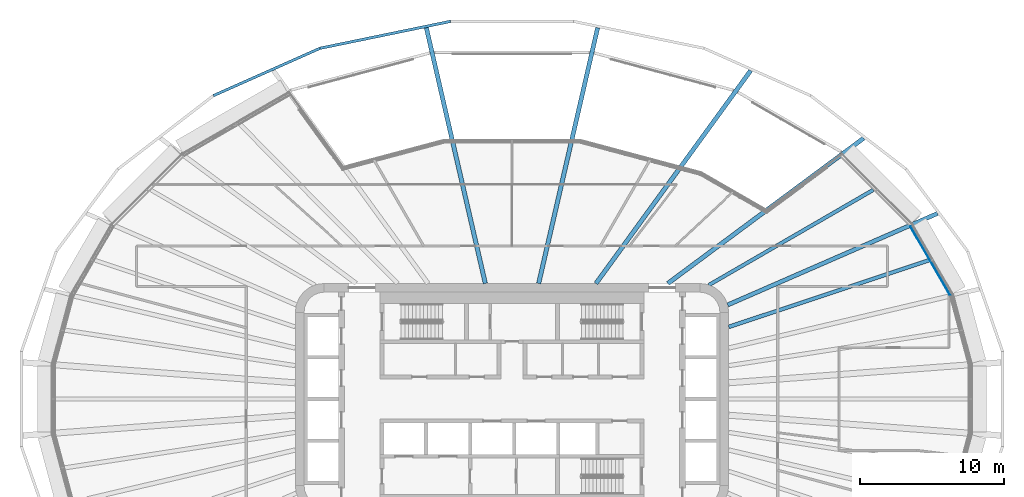
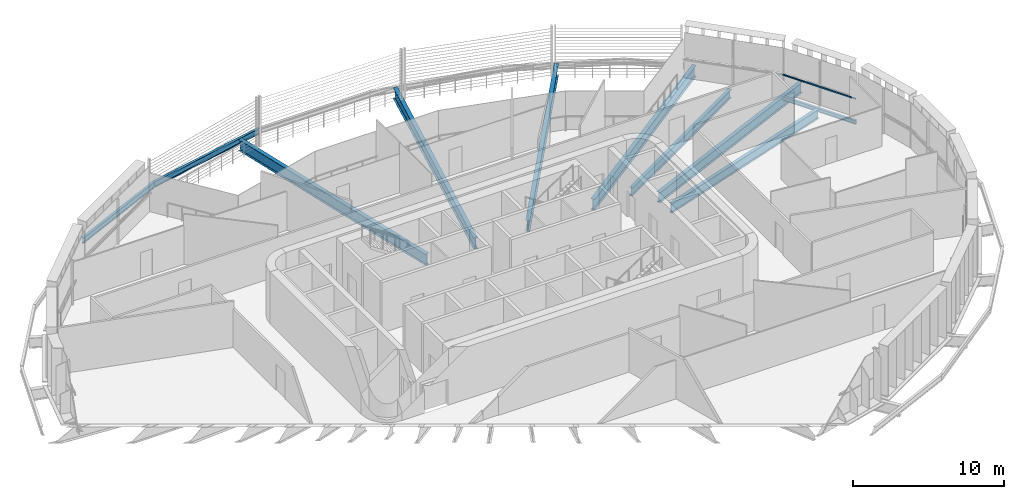
# One storey, part 8 of 24: 10 beams, 1 member, 1 element without a shape of its own.
"""IFC4 building model written with IfcOpenShell, lengths in metres."""

from ifc_helpers import new_model, si_unit, direction, frame, origin, origin_2d, place, context, subcontext, project, spatial, rectangle, i_section, extrude, material, layer, layer_set, material_profile, profile_set, type_object, element, aggregate, save


model = new_model("IFC4")

# Units and contexts
model_context = context("Model", 3, precision=1e-05, world=origin(), true_north=direction((0.0, 1.0)))
body_context = subcontext(model_context, "Body", "Model", "MODEL_VIEW")
ifc_project = project(units=[si_unit("LENGTHUNIT", "METRE"), si_unit("AREAUNIT", "SQUARE_METRE"), si_unit("VOLUMEUNIT", "CUBIC_METRE"), si_unit("PLANEANGLEUNIT", "RADIAN"), si_unit("MASSUNIT", "GRAM", prefix="KILO")], contexts=[model_context])

# Site, building, storey
site_placement = place(None, origin())
site = spatial("IfcSite", under=ifc_project, at=site_placement, CompositionType="ELEMENT")
building_placement = place(site_placement, origin())
building = spatial("IfcBuilding", under=site, at=building_placement, Name="Sahrelin Media Tower", CompositionType="ELEMENT")
storey_placement = place(building_placement, frame((0.0, 0.0, 123.0)))
storey = spatial("IfcBuildingStorey", under=building, at=storey_placement, Name="L24", CompositionType="ELEMENT", Elevation=123.0)

# Beams
ifc_material_1 = material(Name="Steel S355", Category="steel")
ifc_material_profile_1 = material_profile(ifc_material_1, i_section(OverallWidth=0.1650390625, OverallDepth=0.303466796875, WebThickness=0.006103515625, FlangeThickness=0.01025390625, FilletRadius=0.0087890625, at=origin_2d()), Name="UB 305x165x40")
ifc_profile_set_1 = profile_set([ifc_material_profile_1], Name="Steel S355")
beam_type_1 = type_object("IfcBeamType", Name="Edge beam EB2", PredefinedType="BEAM", material=ifc_profile_set_1)
beam_1_placement = place(storey_placement, frame((27.6103515625, 11.9853515625, -0.3017578125), z_axis=(0.500020903074, -0.866013335053, 0.0), x_axis=(0.866013335053, 0.500020903074, 0.0)))
element("IfcBeam", 1, at=beam_1_placement, inside=storey, type_object=beam_type_1, Name="Edge beam L24-19", PredefinedType="BEAM", context=body_context, shape_type="SweptSolid", body=[
    extrude(i_section(OverallWidth=0.1650390625, OverallDepth=0.303466796875, WebThickness=0.006103515625, FlangeThickness=0.01025390625, FilletRadius=0.0087890625, at=origin_2d()), origin(), (0.0, 0.0, 1.0), 5.593994140625),
])
ifc_material_profile_2 = material_profile(ifc_material_1, i_section(OverallWidth=0.291748046875, OverallDepth=0.8349609375, WebThickness=0.013916015625, FlangeThickness=0.018798828125, FilletRadius=0.017822265625, at=origin_2d()), Name="UB 838x292x176")
ifc_profile_set_2 = profile_set([ifc_material_profile_2], Name="Steel S355")
beam_type_2 = type_object("IfcBeamType", Name="Radial primary beam PB10", PredefinedType="BEAM", material=ifc_profile_set_2)
beam_2_placement = place(storey_placement, frame((14.9326171875, 6.51220703125, -0.5673828125), z_axis=(0.916634616148, 0.399726131844, 0.0), x_axis=(-0.399726131844, 0.916634616148, 0.0)))
element("IfcBeam", 2, at=beam_2_placement, inside=storey, type_object=beam_type_2, Name="Radial beam L24-03", PredefinedType="BEAM", context=body_context, shape_type="SweptSolid", body=[
    extrude(i_section(OverallWidth=0.291748046875, OverallDepth=0.8349609375, WebThickness=0.013916015625, FlangeThickness=0.018798828125, FilletRadius=0.017822265625, at=origin_2d()), origin(), (0.0, 0.0, 1.0), 15.8505859375),
])
ifc_material_profile_3 = material_profile(ifc_material_1, i_section(OverallWidth=0.30322265625, OverallDepth=0.903076171875, WebThickness=0.01513671875, FlangeThickness=0.020263671875, FilletRadius=0.01904296875, at=origin_2d()), Name="UB 914x305x201")
ifc_profile_set_3 = profile_set([ifc_material_profile_3], Name="Steel S355")
beam_type_3 = type_object("IfcBeamType", Name="Radial primary beam PB11", PredefinedType="BEAM", material=ifc_profile_set_3)
beam_3_placement = place(storey_placement, frame((10.78662109375, 8.0, -0.6015625), z_axis=(0.803198279185, 0.595711779566, 0.0), x_axis=(-0.595711779566, 0.803198279185, 0.0)))
element("IfcBeam", 3, at=beam_3_placement, inside=storey, type_object=beam_type_3, Name="Radial beam L24-04", PredefinedType="BEAM", context=body_context, shape_type="SweptSolid", body=[
    extrude(i_section(OverallWidth=0.30322265625, OverallDepth=0.903076171875, WebThickness=0.01513671875, FlangeThickness=0.020263671875, FilletRadius=0.01904296875, at=origin_2d()), origin(), (0.0, 0.0, 1.0), 16.876708984375),
])
beam_4_placement = place(storey_placement, frame((5.813720703125, 8.0, -0.6015625), z_axis=(0.587854545136, 0.808966645643, 0.0), x_axis=(-0.808966645643, 0.587854545136, 0.0)))
element("IfcBeam", 4, at=beam_4_placement, inside=storey, type_object=beam_type_3, Name="Radial beam L24-05", PredefinedType="BEAM", context=body_context, shape_type="SweptSolid", body=[
    extrude(i_section(OverallWidth=0.30322265625, OverallDepth=0.903076171875, WebThickness=0.01513671875, FlangeThickness=0.020263671875, FilletRadius=0.01904296875, at=origin_2d()), origin(), (0.0, 0.0, 1.0), 18.219482421875),
])
for number, where, z_axis, x_axis, name in (
    (5, (1.845703125, 8.0, -0.6015625), (0.224801592423, 0.974404558715, 0.0), (-0.974404558715, 0.224801592423, 0.0), "Radial beam L24-06"),
    (6, (-1.845703125, 8.0, -0.6015625), (-0.224801592423, 0.974404558715, 0.0), (-0.974404558715, -0.224801592423, 0.0), "Radial beam L24-07"),
):
    element("IfcBeam", number, at=place(storey_placement, frame(where, z_axis=z_axis, x_axis=x_axis)), inside=storey, type_object=beam_type_3, Name=name, PredefinedType="BEAM", context=body_context, shape_type="SweptSolid", body=[
        extrude(i_section(OverallWidth=0.30322265625, OverallDepth=0.903076171875, WebThickness=0.01513671875, FlangeThickness=0.020263671875, FilletRadius=0.01904296875, at=origin_2d()), origin(), (0.0, 0.0, 1.0), 18.164794921875),
    ])
ifc_material_profile_4 = material_profile(ifc_material_1, i_section(OverallWidth=0.2529296875, OverallDepth=0.677978515625, WebThickness=0.01171875, FlangeThickness=0.01611328125, FilletRadius=0.01513671875, at=origin_2d()), Name="UB 686x254x125")
ifc_profile_set_4 = profile_set([ifc_material_profile_4], Name="Steel S355")
beam_type_4 = type_object("IfcBeamType", Name="Radial secondary beam SB8", PredefinedType="BEAM", material=ifc_profile_set_4)
beam_5_placement = place(storey_placement, frame((13.626220703125, 7.886962890625, -0.489013671875), z_axis=(0.865481790925, 0.500940385252, 0.0), x_axis=(-0.500940385252, 0.865481790925, 0.0)))
element("IfcBeam", 7, at=beam_5_placement, inside=storey, type_object=beam_type_4, Name="Secondary beam L24-03", PredefinedType="BEAM", context=body_context, shape_type="SweptSolid", body=[
    extrude(i_section(OverallWidth=0.2529296875, OverallDepth=0.677978515625, WebThickness=0.01171875, FlangeThickness=0.01611328125, FilletRadius=0.01513671875, at=origin_2d()), origin(), (0.0, 0.0, 1.0), 13.148681640625),
])
ifc_material_profile_5 = material_profile(ifc_material_1, i_section(OverallWidth=0.26513671875, OverallDepth=0.75390625, WebThickness=0.0126953125, FlangeThickness=0.017578125, FilletRadius=0.0166015625, at=origin_2d()), Name="UB 762x267x147")
ifc_profile_set_5 = profile_set([ifc_material_profile_5], Name="Steel S355")
beam_type_5 = type_object("IfcBeamType", Name="Radial secondary beam SB9", PredefinedType="BEAM", material=ifc_profile_set_5)
beam_6_placement = place(storey_placement, frame((15.0, 4.989501953125, -0.527099609375), z_axis=(0.948886617928, 0.315617151493, 0.0), x_axis=(-0.315617151493, 0.948886617928, 0.0)))
element("IfcBeam", 8, at=beam_6_placement, inside=storey, type_object=beam_type_5, Name="Secondary beam L24-02", PredefinedType="BEAM", context=body_context, shape_type="SweptSolid", body=[
    extrude(i_section(OverallWidth=0.26513671875, OverallDepth=0.75390625, WebThickness=0.0126953125, FlangeThickness=0.017578125, FilletRadius=0.0166015625, at=origin_2d()), origin(), (0.0, 0.0, 1.0), 14.63525390625),
])
ifc_material_profile_6 = material_profile(ifc_material_1, i_section(OverallWidth=0.1904296875, OverallDepth=0.45703125, WebThickness=0.009033203125, FlangeThickness=0.014404296875, FilletRadius=0.01025390625, at=origin_2d()), Name="UB 457x191x74")
ifc_profile_set_6 = profile_set([ifc_material_profile_6], Name="Steel S355")
beam_type_6 = type_object("IfcBeamType", Name="Tie chord TC5", PredefinedType="BEAM", material=ifc_profile_set_6)
beam_7_placement = place(storey_placement, frame((-4.257080078125, 26.14208984375, -0.37841796875), z_axis=(-0.979388907091, -0.201983585145, 0.0), x_axis=(0.201983585145, -0.979388907091, 0.0)))
element("IfcBeam", 9, at=beam_7_placement, inside=storey, type_object=beam_type_6, Name="Tie chord L24-07", PredefinedType="BEAM", context=body_context, shape_type="SweptSolid", body=[
    extrude(i_section(OverallWidth=0.1904296875, OverallDepth=0.45703125, WebThickness=0.009033203125, FlangeThickness=0.014404296875, FilletRadius=0.01025390625, at=origin_2d()), origin(), (0.0, 0.0, 1.0), 9.228515625),
])
beam_8_placement = place(storey_placement, frame((-13.29541015625, 24.278076171875, -0.37841796875), z_axis=(-0.913830264111, -0.406096353585, 0.0), x_axis=(0.406096353585, -0.913830264111, 0.0)))
element("IfcBeam", 10, at=beam_8_placement, inside=storey, type_object=beam_type_6, Name="Tie chord L24-08", PredefinedType="BEAM", context=body_context, shape_type="SweptSolid", body=[
    extrude(i_section(OverallWidth=0.1904296875, OverallDepth=0.45703125, WebThickness=0.009033203125, FlangeThickness=0.014404296875, FilletRadius=0.01025390625, at=origin_2d()), origin(), (0.0, 0.0, 1.0), 8.068603515625),
])

# Curtain wall, member
ifc_material_2 = material(Name="Champagne anodised aluminium 6063-T6", Category="aluminium")
ifc_layer = layer(ifc_material_2, 0.14990234375)
ifc_layer_set = layer_set([ifc_layer], Name="Tower ribbon curtain wall")
curtain_wall_type = type_object("IfcCurtainWallType", Name="Tower ribbon curtain wall", PredefinedType="NOTDEFINED", material=ifc_layer_set)
curtain_wall_placement = place(storey_placement, frame((29.138916015625, 9.63818359375, 0.0), z_axis=(0.0, 0.0, 1.0), x_axis=(1.0, 0.0, 0.0)))
curtain_wall = element("IfcCurtainWall", 11, at=curtain_wall_placement, inside=storey, type_object=curtain_wall_type, Name="L24:CW:L24-02", PredefinedType="NOTDEFINED")
ifc_material_profile_7 = material_profile(ifc_material_2, rectangle(XDim=0.050048828125, YDim=0.10009765625, at=origin_2d()), Name="Transom 50x100")
ifc_profile_set_7 = profile_set([ifc_material_profile_7], Name="Champagne anodised aluminium 6063-T6")
member_type = type_object("IfcMemberType", Name="Transom 50x100 CW1", PredefinedType="USERDEFINED", material=ifc_profile_set_7)
member_placement = place(storey_placement, frame((30.360595703125, 7.132080078125, 1.60009765625), z_axis=(-0.500009936039, 0.866019667134, 0.0), x_axis=(-0.866019667134, -0.500009936039, 0.0)))
member = element("IfcMember", 12, at=member_placement, type_object=member_type, Name="L24:CWT:L24-02", ObjectType="TRANSOM", PredefinedType="USERDEFINED", context=body_context, shape_type="SweptSolid", body=[
    extrude(rectangle(XDim=0.050048828125, YDim=0.10009765625, at=origin_2d()), origin(), (0.0, 0.0, 1.0), 5.5625),
])
aggregate(curtain_wall, [member])

save(model, "model.ifc")
